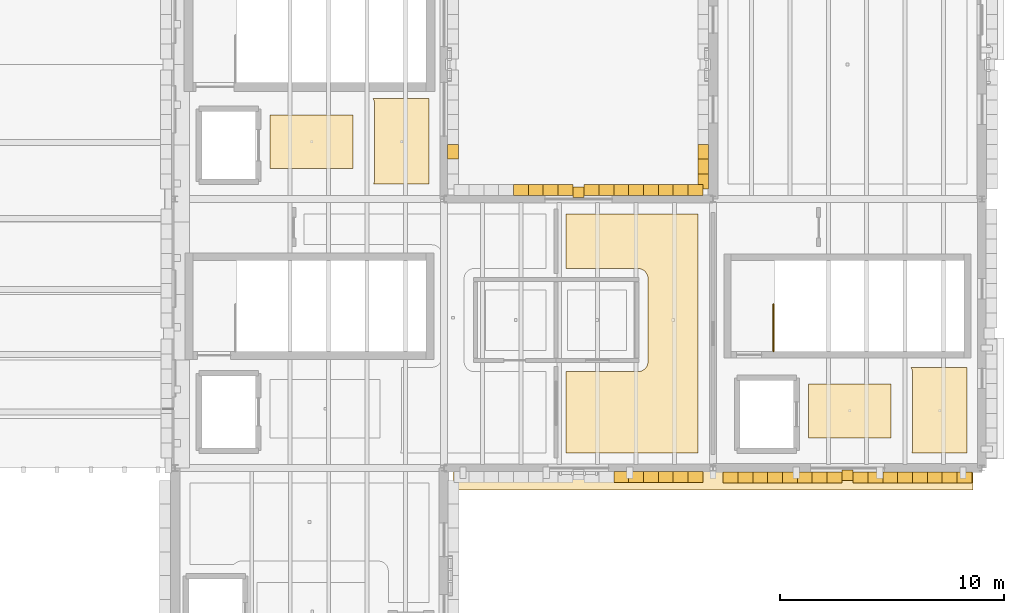
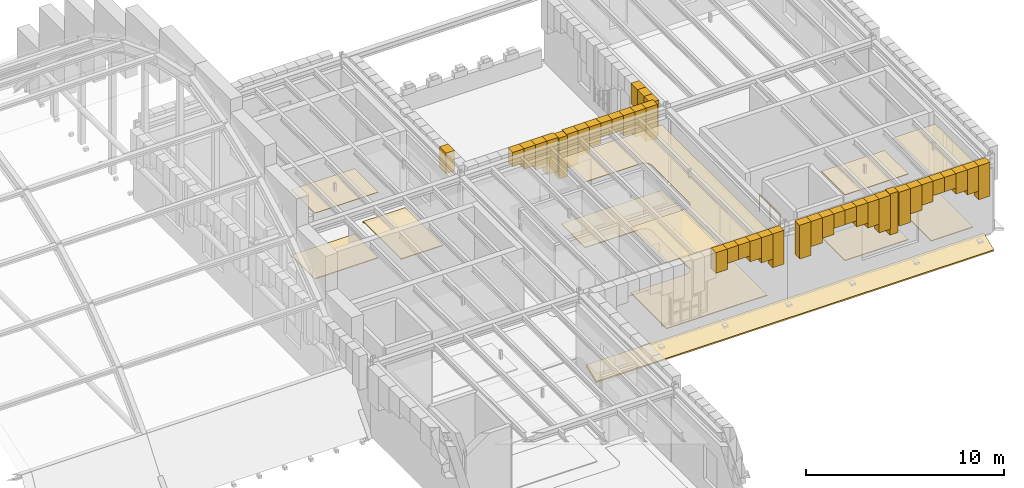
# One storey, part 32 of 35: 50 coverings, 1 railing.
"""IFC4 building model written with IfcOpenShell, lengths in metres."""

from ifc_helpers import new_model, si_unit, direction, frame, origin, origin_2d, place, context, subcontext, project, spatial, polyline, circle, outline, extrude, material, layer, layer_set, type_object, element, save


model = new_model("IFC4")

# Units and contexts
model_context = context("Model", 3, precision=1e-05, world=origin(), true_north=direction((0.0, 1.0)))
body_context = subcontext(model_context, "Body", "Model", "MODEL_VIEW")
ifc_project = project(units=[si_unit("LENGTHUNIT", "METRE"), si_unit("AREAUNIT", "SQUARE_METRE"), si_unit("VOLUMEUNIT", "CUBIC_METRE"), si_unit("PLANEANGLEUNIT", "RADIAN"), si_unit("MASSUNIT", "GRAM", prefix="KILO")], contexts=[model_context])

# Site, building, storey
site_placement = place(None, origin())
site = spatial("IfcSite", under=ifc_project, at=site_placement, CompositionType="ELEMENT")
building_placement = place(site_placement, origin())
building = spatial("IfcBuilding", under=site, at=building_placement, Name="Zlatogorsky Bluff Art Gallery", CompositionType="ELEMENT")
storey_placement = place(building_placement, frame((0.0, 0.0, 23.39990234375)))
storey = spatial("IfcBuildingStorey", under=building, at=storey_placement, Name="L04", CompositionType="ELEMENT", Elevation=23.39990234375)

# Coverings
ifc_material_1 = material(Name="Perforated Gypsum Acoustic Board", Category="gypsum")
ifc_layer_1 = layer(ifc_material_1, 0.0400390625)
ifc_layer_set_1 = layer_set([ifc_layer_1], Name="Acoustic Gallery Ceiling CLG-01")
covering_type_1 = type_object("IfcCoveringType", Name="Acoustic Gallery Ceiling CLG-01", PredefinedType="CEILING", material=ifc_layer_set_1)
covering_1_placement = place(storey_placement, frame((0.0, 0.0, 4.050048828125)))
element("IfcCovering", 1, at=covering_1_placement, inside=storey, type_object=covering_type_1, Name="Lift Lobby PL-1 acoustic ceiling", PredefinedType="CEILING", context=body_context, shape_type="SweptSolid", body=[
    extrude(outline(polyline([(127.949951171875, 99.75), (127.949951171875, 97.35009765625), (124.25, 97.35009765625), (124.25, 99.75), (127.949951171875, 99.75)])), origin(), (0.0, 0.0, 1.0), 0.0400390625),
])
covering_2_placement = place(storey_placement, frame((0.0, 0.0, 4.050048828125)))
element("IfcCovering", 2, at=covering_2_placement, inside=storey, type_object=covering_type_1, Name="Lift Lobby PL-2 acoustic ceiling", PredefinedType="CEILING", context=body_context, shape_type="SweptSolid", body=[
    extrude(outline(polyline([(151.949951171875, 87.75), (151.949951171875, 85.35009765625), (148.25, 85.35009765625), (148.25, 87.75), (151.949951171875, 87.75)])), origin(), (0.0, 0.0, 1.0), 0.0400390625),
])
covering_3_placement = place(storey_placement, frame((0.0, 0.0, 4.050048828125)))
element("IfcCovering", 3, at=covering_3_placement, inside=storey, type_object=covering_type_1, Name="Imaging Conservation Laboratory acoustic ceiling", PredefinedType="CEILING", context=body_context, shape_type="SweptSolid", body=[
    extrude(outline(polyline([(140.64990234375, 88.300048828125), (140.694091796875, 88.30224609375), (140.73779296875, 88.30859375), (140.780517578125, 88.3193359375), (140.822265625, 88.334228515625), (140.862060546875, 88.35302734375), (140.89990234375, 88.375732421875), (140.935546875, 88.402099609375), (140.96826171875, 88.431884765625), (140.997802734375, 88.464599609375), (141.024169921875, 88.5), (141.046875, 88.537841796875), (141.065673828125, 88.577880859375), (141.08056640625, 88.619384765625), (141.09130859375, 88.662109375), (141.097900390625, 88.705810546875), (141.10009765625, 88.75), (141.10009765625, 92.449951171875), (141.097900390625, 92.494140625), (141.09130859375, 92.537841796875), (141.08056640625, 92.58056640625), (141.065673828125, 92.622314453125), (141.046875, 92.662109375), (141.024169921875, 92.699951171875), (140.997802734375, 92.735595703125), (140.96826171875, 92.768310546875), (140.935546875, 92.7978515625), (140.89990234375, 92.82421875), (140.862060546875, 92.846923828125), (140.822265625, 92.86572265625), (140.780517578125, 92.880615234375), (140.73779296875, 92.891357421875), (140.694091796875, 92.897705078125), (140.64990234375, 92.89990234375), (137.449951171875, 92.89990234375), (137.449951171875, 95.330078125), (143.330078125, 95.330078125), (143.330078125, 84.669921875), (137.449951171875, 84.669921875), (137.449951171875, 88.300048828125), (140.64990234375, 88.300048828125)])), origin(), (0.0, 0.0, 1.0), 0.0400390625),
])
covering_4_placement = place(storey_placement, frame((0.0, 0.0, 4.050048828125)))
element("IfcCovering", 4, at=covering_4_placement, inside=storey, type_object=covering_type_1, Name="Curatorial Symposium Hall acoustic ceiling", PredefinedType="CEILING", context=body_context, shape_type="SweptSolid", body=[
    extrude(outline(polyline([(155.330078125, 88.489990234375), (155.330078125, 84.669921875), (152.862060546875, 84.669921875), (152.86572265625, 84.677734375), (152.880615234375, 84.719482421875), (152.891357421875, 84.76220703125), (152.897705078125, 84.805908203125), (152.89990234375, 84.85009765625), (152.89990234375, 88.25), (152.897705078125, 88.294189453125), (152.891357421875, 88.337890625), (152.880615234375, 88.380615234375), (152.86572265625, 88.422119140625), (152.846923828125, 88.462158203125), (152.830078125, 88.489990234375), (155.330078125, 88.489990234375)])), origin(), (0.0, 0.0, 1.0), 0.0400390625),
])
ifc_material_2 = material(Name="Honed Red Agra-Tone Quartzitic Sandstone", Category="masonry")
ifc_layer_2 = layer(ifc_material_2, 0.1201171875)
ifc_layer_set_2 = layer_set([ifc_layer_2], Name="Carved Sandstone Cladding CLD-02")
covering_type_2 = type_object("IfcCoveringType", Name="Carved Sandstone Cladding CLD-02", PredefinedType="CLADDING", material=ifc_layer_set_2)
covering_5_placement = place(storey_placement, frame((0.0, 0.0, 3.496826171875)))
element("IfcCovering", 5, at=covering_5_placement, inside=storey, type_object=covering_type_2, Name="Pointed Mughal arch voussoir spandrel WARCH-L04-E-10-09-A.3", PredefinedType="CLADDING", context=body_context, shape_type="SweptSolid", body=[
    extrude(outline(polyline([(132.14990234375, 97.77490234375), (132.14990234375, 98.4375), (132.639892578125, 98.4375), (132.639892578125, 97.77490234375), (132.14990234375, 97.77490234375)])), origin(), (0.0, 0.0, 1.0), 1.26318359375),
])
covering_6_placement = place(storey_placement, frame((0.0, 0.0, 3.496826171875)))
element("IfcCovering", 6, at=covering_6_placement, inside=storey, type_object=covering_type_2, Name="Pointed Mughal arch voussoir spandrel WARCH-L04-S-11-08-B.3", PredefinedType="CLADDING", context=body_context, shape_type="SweptSolid", body=[
    extrude(outline(polyline([(139.574951171875, 83.360107421875), (140.237548828125, 83.360107421875), (140.237548828125, 83.85009765625), (139.574951171875, 83.85009765625), (139.574951171875, 83.360107421875)])), origin(), (0.0, 0.0, 1.0), 1.26318359375),
])
covering_7_placement = place(storey_placement, frame((0.0, 0.0, 3.865478515625)))
element("IfcCovering", 7, at=covering_7_placement, inside=storey, type_object=covering_type_2, Name="Pointed Mughal arch voussoir spandrel WARCH-L04-S-11-08-B.4", PredefinedType="CLADDING", context=body_context, shape_type="SweptSolid", body=[
    extrude(outline(polyline([(140.237548828125, 83.360107421875), (140.89990234375, 83.360107421875), (140.89990234375, 83.85009765625), (140.237548828125, 83.85009765625), (140.237548828125, 83.360107421875)])), origin(), (0.0, 0.0, 1.0), 0.89453125),
])
covering_8_placement = place(storey_placement, frame((0.0, 0.0, 3.865478515625)))
element("IfcCovering", 8, at=covering_8_placement, inside=storey, type_object=covering_type_2, Name="Pointed Mughal arch voussoir spandrel WARCH-L04-S-11-08-B.5", PredefinedType="CLADDING", context=body_context, shape_type="SweptSolid", body=[
    extrude(outline(polyline([(140.89990234375, 83.360107421875), (141.5625, 83.360107421875), (141.5625, 83.85009765625), (140.89990234375, 83.85009765625), (140.89990234375, 83.360107421875)])), origin(), (0.0, 0.0, 1.0), 0.89453125),
])
covering_9_placement = place(storey_placement, frame((0.0, 0.0, 3.496826171875)))
element("IfcCovering", 9, at=covering_9_placement, inside=storey, type_object=covering_type_2, Name="Pointed Mughal arch voussoir spandrel WARCH-L04-S-11-08-B.6", PredefinedType="CLADDING", context=body_context, shape_type="SweptSolid", body=[
    extrude(outline(polyline([(141.5625, 83.360107421875), (142.22509765625, 83.360107421875), (142.22509765625, 83.85009765625), (141.5625, 83.85009765625), (141.5625, 83.360107421875)])), origin(), (0.0, 0.0, 1.0), 1.26318359375),
])
covering_10_placement = place(storey_placement, frame((0.0, 0.0, 3.203857421875)))
element("IfcCovering", 10, at=covering_10_placement, inside=storey, type_object=covering_type_2, Name="Pointed Mughal arch voussoir spandrel WARCH-L04-S-11-08-B.7", PredefinedType="CLADDING", context=body_context, shape_type="SweptSolid", body=[
    extrude(outline(polyline([(142.22509765625, 83.360107421875), (142.887451171875, 83.360107421875), (142.887451171875, 83.85009765625), (142.22509765625, 83.85009765625), (142.22509765625, 83.360107421875)])), origin(), (0.0, 0.0, 1.0), 1.55615234375),
])
covering_11_placement = place(storey_placement, frame((0.0, 0.0, 2.672607421875)))
element("IfcCovering", 11, at=covering_11_placement, inside=storey, type_object=covering_type_2, Name="Pointed Mughal arch voussoir spandrel WARCH-L04-S-11-08-B.8", PredefinedType="CLADDING", context=body_context, shape_type="SweptSolid", body=[
    extrude(outline(polyline([(142.887451171875, 83.360107421875), (143.550048828125, 83.360107421875), (143.550048828125, 83.85009765625), (142.887451171875, 83.85009765625), (142.887451171875, 83.360107421875)])), origin(), (0.0, 0.0, 1.0), 2.08740234375),
])
covering_12_placement = place(storey_placement, frame((0.0, 0.0, 2.22998046875)))
element("IfcCovering", 12, at=covering_12_placement, inside=storey, type_object=covering_type_2, Name="Mughal blind-arch sandstone pilaster L04.N.11.8", PredefinedType="CLADDING", context=body_context, shape_type="SweptSolid", body=[
    extrude(outline(polyline([(137.760009765625, 96.06005859375), (138.239990234375, 96.06005859375), (138.239990234375, 96.5400390625), (137.760009765625, 96.5400390625), (137.760009765625, 96.06005859375)])), origin(), (0.0, 0.0, 1.0), 2.530029296875),
])
covering_13_placement = place(storey_placement, frame((0.0, 0.0, 3.865478515625)))
element("IfcCovering", 13, at=covering_13_placement, inside=storey, type_object=covering_type_2, Name="Pointed Mughal arch voussoir spandrel WARCH-L04-N-11-08-A.5", PredefinedType="CLADDING", context=body_context, shape_type="SweptSolid", body=[
    extrude(outline(polyline([(135.10009765625, 96.14990234375), (135.762451171875, 96.14990234375), (135.762451171875, 96.639892578125), (135.10009765625, 96.639892578125), (135.10009765625, 96.14990234375)])), origin(), (0.0, 0.0, 1.0), 0.89453125),
])
covering_14_placement = place(storey_placement, frame((0.0, 0.0, 3.496826171875)))
element("IfcCovering", 14, at=covering_14_placement, inside=storey, type_object=covering_type_2, Name="Pointed Mughal arch voussoir spandrel WARCH-L04-N-11-08-A.6", PredefinedType="CLADDING", context=body_context, shape_type="SweptSolid", body=[
    extrude(outline(polyline([(135.762451171875, 96.14990234375), (136.425048828125, 96.14990234375), (136.425048828125, 96.639892578125), (135.762451171875, 96.639892578125), (135.762451171875, 96.14990234375)])), origin(), (0.0, 0.0, 1.0), 1.26318359375),
])
covering_15_placement = place(storey_placement, frame((0.0, 0.0, 3.203857421875)))
element("IfcCovering", 15, at=covering_15_placement, inside=storey, type_object=covering_type_2, Name="Pointed Mughal arch voussoir spandrel WARCH-L04-N-11-08-A.7", PredefinedType="CLADDING", context=body_context, shape_type="SweptSolid", body=[
    extrude(outline(polyline([(136.425048828125, 96.14990234375), (137.08740234375, 96.14990234375), (137.08740234375, 96.639892578125), (136.425048828125, 96.639892578125), (136.425048828125, 96.14990234375)])), origin(), (0.0, 0.0, 1.0), 1.55615234375),
])
covering_16_placement = place(storey_placement, frame((0.0, 0.0, 2.672607421875)))
element("IfcCovering", 16, at=covering_16_placement, inside=storey, type_object=covering_type_2, Name="Pointed Mughal arch voussoir spandrel WARCH-L04-N-11-08-A.8", PredefinedType="CLADDING", context=body_context, shape_type="SweptSolid", body=[
    extrude(outline(polyline([(137.08740234375, 96.14990234375), (137.75, 96.14990234375), (137.75, 96.639892578125), (137.08740234375, 96.639892578125), (137.08740234375, 96.14990234375)])), origin(), (0.0, 0.0, 1.0), 2.08740234375),
])
covering_17_placement = place(storey_placement, frame((0.0, 0.0, 2.672607421875)))
element("IfcCovering", 17, at=covering_17_placement, inside=storey, type_object=covering_type_2, Name="Pointed Mughal arch voussoir spandrel WARCH-L04-N-11-08-B.1", PredefinedType="CLADDING", context=body_context, shape_type="SweptSolid", body=[
    extrude(outline(polyline([(138.25, 96.14990234375), (138.91259765625, 96.14990234375), (138.91259765625, 96.639892578125), (138.25, 96.639892578125), (138.25, 96.14990234375)])), origin(), (0.0, 0.0, 1.0), 2.08740234375),
])
covering_18_placement = place(storey_placement, frame((0.0, 0.0, 3.203857421875)))
element("IfcCovering", 18, at=covering_18_placement, inside=storey, type_object=covering_type_2, Name="Pointed Mughal arch voussoir spandrel WARCH-L04-N-11-08-B.2", PredefinedType="CLADDING", context=body_context, shape_type="SweptSolid", body=[
    extrude(outline(polyline([(138.91259765625, 96.14990234375), (139.574951171875, 96.14990234375), (139.574951171875, 96.639892578125), (138.91259765625, 96.639892578125), (138.91259765625, 96.14990234375)])), origin(), (0.0, 0.0, 1.0), 1.55615234375),
])
covering_19_placement = place(storey_placement, frame((0.0, 0.0, 3.496826171875)))
element("IfcCovering", 19, at=covering_19_placement, inside=storey, type_object=covering_type_2, Name="Pointed Mughal arch voussoir spandrel WARCH-L04-N-11-08-B.3", PredefinedType="CLADDING", context=body_context, shape_type="SweptSolid", body=[
    extrude(outline(polyline([(139.574951171875, 96.14990234375), (140.237548828125, 96.14990234375), (140.237548828125, 96.639892578125), (139.574951171875, 96.639892578125), (139.574951171875, 96.14990234375)])), origin(), (0.0, 0.0, 1.0), 1.26318359375),
])
covering_20_placement = place(storey_placement, frame((0.0, 0.0, 3.865478515625)))
element("IfcCovering", 20, at=covering_20_placement, inside=storey, type_object=covering_type_2, Name="Pointed Mughal arch voussoir spandrel WARCH-L04-N-11-08-B.4", PredefinedType="CLADDING", context=body_context, shape_type="SweptSolid", body=[
    extrude(outline(polyline([(140.237548828125, 96.14990234375), (140.89990234375, 96.14990234375), (140.89990234375, 96.639892578125), (140.237548828125, 96.639892578125), (140.237548828125, 96.14990234375)])), origin(), (0.0, 0.0, 1.0), 0.89453125),
])
covering_21_placement = place(storey_placement, frame((0.0, 0.0, 3.865478515625)))
element("IfcCovering", 21, at=covering_21_placement, inside=storey, type_object=covering_type_2, Name="Pointed Mughal arch voussoir spandrel WARCH-L04-N-11-08-B.5", PredefinedType="CLADDING", context=body_context, shape_type="SweptSolid", body=[
    extrude(outline(polyline([(140.89990234375, 96.14990234375), (141.5625, 96.14990234375), (141.5625, 96.639892578125), (140.89990234375, 96.639892578125), (140.89990234375, 96.14990234375)])), origin(), (0.0, 0.0, 1.0), 0.89453125),
])
covering_22_placement = place(storey_placement, frame((0.0, 0.0, 3.496826171875)))
element("IfcCovering", 22, at=covering_22_placement, inside=storey, type_object=covering_type_2, Name="Pointed Mughal arch voussoir spandrel WARCH-L04-N-11-08-B.6", PredefinedType="CLADDING", context=body_context, shape_type="SweptSolid", body=[
    extrude(outline(polyline([(141.5625, 96.14990234375), (142.22509765625, 96.14990234375), (142.22509765625, 96.639892578125), (141.5625, 96.639892578125), (141.5625, 96.14990234375)])), origin(), (0.0, 0.0, 1.0), 1.26318359375),
])
covering_23_placement = place(storey_placement, frame((0.0, 0.0, 3.203857421875)))
element("IfcCovering", 23, at=covering_23_placement, inside=storey, type_object=covering_type_2, Name="Pointed Mughal arch voussoir spandrel WARCH-L04-N-11-08-B.7", PredefinedType="CLADDING", context=body_context, shape_type="SweptSolid", body=[
    extrude(outline(polyline([(142.22509765625, 96.14990234375), (142.887451171875, 96.14990234375), (142.887451171875, 96.639892578125), (142.22509765625, 96.639892578125), (142.22509765625, 96.14990234375)])), origin(), (0.0, 0.0, 1.0), 1.55615234375),
])
covering_24_placement = place(storey_placement, frame((0.0, 0.0, 2.672607421875)))
element("IfcCovering", 24, at=covering_24_placement, inside=storey, type_object=covering_type_2, Name="Pointed Mughal arch voussoir spandrel WARCH-L04-N-11-08-B.8", PredefinedType="CLADDING", context=body_context, shape_type="SweptSolid", body=[
    extrude(outline(polyline([(142.887451171875, 96.14990234375), (143.550048828125, 96.14990234375), (143.550048828125, 96.639892578125), (142.887451171875, 96.639892578125), (142.887451171875, 96.14990234375)])), origin(), (0.0, 0.0, 1.0), 2.08740234375),
])
covering_25_placement = place(storey_placement, frame((0.0, 0.0, 2.22998046875)))
element("IfcCovering", 25, at=covering_25_placement, inside=storey, type_object=covering_type_2, Name="Mughal blind-arch sandstone pilaster L04.S.12.8", PredefinedType="CLADDING", context=body_context, shape_type="SweptSolid", body=[
    extrude(outline(polyline([(149.760009765625, 83.43994140625), (150.239990234375, 83.43994140625), (150.239990234375, 83.919921875), (149.760009765625, 83.919921875), (149.760009765625, 83.43994140625)])), origin(), (0.0, 0.0, 1.0), 2.530029296875),
])
covering_26_placement = place(storey_placement, frame((0.0, 0.0, 2.672607421875)))
element("IfcCovering", 26, at=covering_26_placement, inside=storey, type_object=covering_type_2, Name="Pointed Mughal arch voussoir spandrel WARCH-L04-S-12-08-A.1", PredefinedType="CLADDING", context=body_context, shape_type="SweptSolid", body=[
    extrude(outline(polyline([(144.449951171875, 83.340087890625), (145.112548828125, 83.340087890625), (145.112548828125, 83.830078125), (144.449951171875, 83.830078125), (144.449951171875, 83.340087890625)])), origin(), (0.0, 0.0, 1.0), 2.08740234375),
])
covering_27_placement = place(storey_placement, frame((0.0, 0.0, 3.203857421875)))
element("IfcCovering", 27, at=covering_27_placement, inside=storey, type_object=covering_type_2, Name="Pointed Mughal arch voussoir spandrel WARCH-L04-S-12-08-A.2", PredefinedType="CLADDING", context=body_context, shape_type="SweptSolid", body=[
    extrude(outline(polyline([(145.112548828125, 83.340087890625), (145.77490234375, 83.340087890625), (145.77490234375, 83.830078125), (145.112548828125, 83.830078125), (145.112548828125, 83.340087890625)])), origin(), (0.0, 0.0, 1.0), 1.55615234375),
])
covering_28_placement = place(storey_placement, frame((0.0, 0.0, 3.496826171875)))
element("IfcCovering", 28, at=covering_28_placement, inside=storey, type_object=covering_type_2, Name="Pointed Mughal arch voussoir spandrel WARCH-L04-S-12-08-A.3", PredefinedType="CLADDING", context=body_context, shape_type="SweptSolid", body=[
    extrude(outline(polyline([(145.77490234375, 83.340087890625), (146.4375, 83.340087890625), (146.4375, 83.830078125), (145.77490234375, 83.830078125), (145.77490234375, 83.340087890625)])), origin(), (0.0, 0.0, 1.0), 1.26318359375),
])
covering_29_placement = place(storey_placement, frame((0.0, 0.0, 3.865478515625)))
element("IfcCovering", 29, at=covering_29_placement, inside=storey, type_object=covering_type_2, Name="Pointed Mughal arch voussoir spandrel WARCH-L04-S-12-08-A.4", PredefinedType="CLADDING", context=body_context, shape_type="SweptSolid", body=[
    extrude(outline(polyline([(146.4375, 83.340087890625), (147.10009765625, 83.340087890625), (147.10009765625, 83.830078125), (146.4375, 83.830078125), (146.4375, 83.340087890625)])), origin(), (0.0, 0.0, 1.0), 0.89453125),
])
covering_30_placement = place(storey_placement, frame((0.0, 0.0, 3.865478515625)))
element("IfcCovering", 30, at=covering_30_placement, inside=storey, type_object=covering_type_2, Name="Pointed Mughal arch voussoir spandrel WARCH-L04-S-12-08-A.5", PredefinedType="CLADDING", context=body_context, shape_type="SweptSolid", body=[
    extrude(outline(polyline([(147.10009765625, 83.340087890625), (147.762451171875, 83.340087890625), (147.762451171875, 83.830078125), (147.10009765625, 83.830078125), (147.10009765625, 83.340087890625)])), origin(), (0.0, 0.0, 1.0), 0.89453125),
])
covering_31_placement = place(storey_placement, frame((0.0, 0.0, 3.496826171875)))
element("IfcCovering", 31, at=covering_31_placement, inside=storey, type_object=covering_type_2, Name="Pointed Mughal arch voussoir spandrel WARCH-L04-S-12-08-A.6", PredefinedType="CLADDING", context=body_context, shape_type="SweptSolid", body=[
    extrude(outline(polyline([(147.762451171875, 83.340087890625), (148.425048828125, 83.340087890625), (148.425048828125, 83.830078125), (147.762451171875, 83.830078125), (147.762451171875, 83.340087890625)])), origin(), (0.0, 0.0, 1.0), 1.26318359375),
])
covering_32_placement = place(storey_placement, frame((0.0, 0.0, 3.203857421875)))
element("IfcCovering", 32, at=covering_32_placement, inside=storey, type_object=covering_type_2, Name="Pointed Mughal arch voussoir spandrel WARCH-L04-S-12-08-A.7", PredefinedType="CLADDING", context=body_context, shape_type="SweptSolid", body=[
    extrude(outline(polyline([(148.425048828125, 83.340087890625), (149.08740234375, 83.340087890625), (149.08740234375, 83.830078125), (148.425048828125, 83.830078125), (148.425048828125, 83.340087890625)])), origin(), (0.0, 0.0, 1.0), 1.55615234375),
])
covering_33_placement = place(storey_placement, frame((0.0, 0.0, 2.672607421875)))
element("IfcCovering", 33, at=covering_33_placement, inside=storey, type_object=covering_type_2, Name="Pointed Mughal arch voussoir spandrel WARCH-L04-S-12-08-A.8", PredefinedType="CLADDING", context=body_context, shape_type="SweptSolid", body=[
    extrude(outline(polyline([(149.08740234375, 83.340087890625), (149.75, 83.340087890625), (149.75, 83.830078125), (149.08740234375, 83.830078125), (149.08740234375, 83.340087890625)])), origin(), (0.0, 0.0, 1.0), 2.08740234375),
])
covering_34_placement = place(storey_placement, frame((0.0, 0.0, 2.672607421875)))
element("IfcCovering", 34, at=covering_34_placement, inside=storey, type_object=covering_type_2, Name="Pointed Mughal arch voussoir spandrel WARCH-L04-S-12-08-B.1", PredefinedType="CLADDING", context=body_context, shape_type="SweptSolid", body=[
    extrude(outline(polyline([(150.25, 83.340087890625), (150.91259765625, 83.340087890625), (150.91259765625, 83.830078125), (150.25, 83.830078125), (150.25, 83.340087890625)])), origin(), (0.0, 0.0, 1.0), 2.08740234375),
])
covering_35_placement = place(storey_placement, frame((0.0, 0.0, 3.203857421875)))
element("IfcCovering", 35, at=covering_35_placement, inside=storey, type_object=covering_type_2, Name="Pointed Mughal arch voussoir spandrel WARCH-L04-S-12-08-B.2", PredefinedType="CLADDING", context=body_context, shape_type="SweptSolid", body=[
    extrude(outline(polyline([(150.91259765625, 83.340087890625), (151.574951171875, 83.340087890625), (151.574951171875, 83.830078125), (150.91259765625, 83.830078125), (150.91259765625, 83.340087890625)])), origin(), (0.0, 0.0, 1.0), 1.55615234375),
])
covering_36_placement = place(storey_placement, frame((0.0, 0.0, 3.496826171875)))
element("IfcCovering", 36, at=covering_36_placement, inside=storey, type_object=covering_type_2, Name="Pointed Mughal arch voussoir spandrel WARCH-L04-S-12-08-B.3", PredefinedType="CLADDING", context=body_context, shape_type="SweptSolid", body=[
    extrude(outline(polyline([(151.574951171875, 83.340087890625), (152.237548828125, 83.340087890625), (152.237548828125, 83.830078125), (151.574951171875, 83.830078125), (151.574951171875, 83.340087890625)])), origin(), (0.0, 0.0, 1.0), 1.26318359375),
])
covering_37_placement = place(storey_placement, frame((0.0, 0.0, 3.865478515625)))
element("IfcCovering", 37, at=covering_37_placement, inside=storey, type_object=covering_type_2, Name="Pointed Mughal arch voussoir spandrel WARCH-L04-S-12-08-B.4", PredefinedType="CLADDING", context=body_context, shape_type="SweptSolid", body=[
    extrude(outline(polyline([(152.237548828125, 83.340087890625), (152.89990234375, 83.340087890625), (152.89990234375, 83.830078125), (152.237548828125, 83.830078125), (152.237548828125, 83.340087890625)])), origin(), (0.0, 0.0, 1.0), 0.89453125),
])
covering_38_placement = place(storey_placement, frame((0.0, 0.0, 3.865478515625)))
element("IfcCovering", 38, at=covering_38_placement, inside=storey, type_object=covering_type_2, Name="Pointed Mughal arch voussoir spandrel WARCH-L04-S-12-08-B.5", PredefinedType="CLADDING", context=body_context, shape_type="SweptSolid", body=[
    extrude(outline(polyline([(152.89990234375, 83.340087890625), (153.5625, 83.340087890625), (153.5625, 83.830078125), (152.89990234375, 83.830078125), (152.89990234375, 83.340087890625)])), origin(), (0.0, 0.0, 1.0), 0.89453125),
])
covering_39_placement = place(storey_placement, frame((0.0, 0.0, 3.496826171875)))
element("IfcCovering", 39, at=covering_39_placement, inside=storey, type_object=covering_type_2, Name="Pointed Mughal arch voussoir spandrel WARCH-L04-S-12-08-B.6", PredefinedType="CLADDING", context=body_context, shape_type="SweptSolid", body=[
    extrude(outline(polyline([(153.5625, 83.340087890625), (154.22509765625, 83.340087890625), (154.22509765625, 83.830078125), (153.5625, 83.830078125), (153.5625, 83.340087890625)])), origin(), (0.0, 0.0, 1.0), 1.26318359375),
])
covering_40_placement = place(storey_placement, frame((0.0, 0.0, 3.203857421875)))
element("IfcCovering", 40, at=covering_40_placement, inside=storey, type_object=covering_type_2, Name="Pointed Mughal arch voussoir spandrel WARCH-L04-S-12-08-B.7", PredefinedType="CLADDING", context=body_context, shape_type="SweptSolid", body=[
    extrude(outline(polyline([(154.22509765625, 83.340087890625), (154.887451171875, 83.340087890625), (154.887451171875, 83.830078125), (154.22509765625, 83.830078125), (154.22509765625, 83.340087890625)])), origin(), (0.0, 0.0, 1.0), 1.55615234375),
])
covering_41_placement = place(storey_placement, frame((0.0, 0.0, 2.672607421875)))
element("IfcCovering", 41, at=covering_41_placement, inside=storey, type_object=covering_type_2, Name="Pointed Mughal arch voussoir spandrel WARCH-L04-S-12-08-B.8", PredefinedType="CLADDING", context=body_context, shape_type="SweptSolid", body=[
    extrude(outline(polyline([(154.887451171875, 83.340087890625), (155.550048828125, 83.340087890625), (155.550048828125, 83.830078125), (154.887451171875, 83.830078125), (154.887451171875, 83.340087890625)])), origin(), (0.0, 0.0, 1.0), 2.08740234375),
])
covering_42_placement = place(storey_placement, frame((0.0, 0.0, 2.672607421875)))
element("IfcCovering", 42, at=covering_42_placement, inside=storey, type_object=covering_type_2, Name="Pointed Mughal arch voussoir spandrel WARCH-L04-W-12-09-A.1", PredefinedType="CLADDING", context=body_context, shape_type="SweptSolid", body=[
    extrude(outline(polyline([(143.320068359375, 96.449951171875), (143.320068359375, 97.112548828125), (143.81005859375, 97.112548828125), (143.81005859375, 96.449951171875), (143.320068359375, 96.449951171875)])), origin(), (0.0, 0.0, 1.0), 2.08740234375),
])
covering_43_placement = place(storey_placement, frame((0.0, 0.0, 3.203857421875)))
element("IfcCovering", 43, at=covering_43_placement, inside=storey, type_object=covering_type_2, Name="Pointed Mughal arch voussoir spandrel WARCH-L04-W-12-09-A.2", PredefinedType="CLADDING", context=body_context, shape_type="SweptSolid", body=[
    extrude(outline(polyline([(143.320068359375, 97.112548828125), (143.320068359375, 97.77490234375), (143.81005859375, 97.77490234375), (143.81005859375, 97.112548828125), (143.320068359375, 97.112548828125)])), origin(), (0.0, 0.0, 1.0), 1.55615234375),
])
covering_44_placement = place(storey_placement, frame((0.0, 0.0, 3.496826171875)))
element("IfcCovering", 44, at=covering_44_placement, inside=storey, type_object=covering_type_2, Name="Pointed Mughal arch voussoir spandrel WARCH-L04-W-12-09-A.3", PredefinedType="CLADDING", context=body_context, shape_type="SweptSolid", body=[
    extrude(outline(polyline([(143.320068359375, 97.77490234375), (143.320068359375, 98.4375), (143.81005859375, 98.4375), (143.81005859375, 97.77490234375), (143.320068359375, 97.77490234375)])), origin(), (0.0, 0.0, 1.0), 1.26318359375),
])
covering_45_placement = place(storey_placement, frame((155.60009765625, 84.0400390625, -0.039794921875), z_axis=(0.0, -0.380872241927, 0.924627673893), x_axis=(-1.0, 0.0, 0.0)))
element("IfcCovering", 45, at=covering_45_placement, inside=storey, type_object=covering_type_2, Name="Projecting sloped Mughal chhajja stone eave CHJ-NE-S-L04", PredefinedType="CLADDING", context=body_context, shape_type="SweptSolid", body=[
    extrude(outline(polyline([(0.0, 0.0), (23.2001953125, 0.0), (23.2001953125, 1.1031678588581422), (0.0, 1.1031678588581422), (0.0, 0.0)])), origin(), (0.0, 0.0, -1.0), 0.139892578125),
])

# Railing
ifc_material_3 = material(Name="Architectural Bronze and Laminated Glass", Category="glass")
railing_type = type_object("IfcRailingType", Name="Gallery Guard Rail 1100mm", PredefinedType="GUARDRAIL", material=ifc_material_3)
railing_placement = place(storey_placement, frame((146.699951171875, 89.199951171875, 0.0)))
element("IfcRailing", 46, at=railing_placement, inside=storey, type_object=railing_type, Name="L04 ST-04 top well guard 1", PredefinedType="GUARDRAIL", context=body_context, shape_type="SweptSolid", body=[
    extrude(circle(Radius=0.02392578125, at=origin_2d()), frame((0.0, 0.0, 1.076171875), z_axis=(0.0, 1.0, 0.0), x_axis=(-1.0, 0.0, 0.0)), (0.0, 0.0, 1.0), 2.10009765625),
    extrude(circle(Radius=0.02099609375, at=origin_2d()), origin(), (0.0, 0.0, 1.0), 1.052001953125),
    extrude(circle(Radius=0.02099609375, at=origin_2d()), frame((0.0, 1.050048828125, 0.0)), (0.0, 0.0, 1.0), 1.052001953125),
    extrude(circle(Radius=0.02099609375, at=origin_2d()), frame((0.0, 2.10009765625, 0.0)), (0.0, 0.0, 1.0), 1.052001953125),
])

# Coverings
ifc_material_4 = material(Name="Polished Ural Marble Terrazzo", Category="masonry")
ifc_layer_3 = layer(ifc_material_4, 0.050048828125)
ifc_layer_set_3 = layer_set([ifc_layer_3], Name="Terrazzo Gallery Flooring FLR-01")
covering_type_3 = type_object("IfcCoveringType", Name="Terrazzo Gallery Flooring FLR-01", PredefinedType="FLOORING", material=ifc_layer_set_3)
covering_46_placement = place(storey_placement, origin())
element("IfcCovering", 47, at=covering_46_placement, inside=storey, type_object=covering_type_3, Name="Lift Lobby PL-1 terrazzo floor finish", PredefinedType="FLOORING", context=body_context, shape_type="SweptSolid", body=[
    extrude(outline(polyline([(127.949951171875, 99.75), (127.949951171875, 97.35009765625), (124.25, 97.35009765625), (124.25, 99.75), (127.949951171875, 99.75)])), origin(), (0.0, 0.0, 1.0), 0.050048828125),
])
covering_47_placement = place(storey_placement, origin())
element("IfcCovering", 48, at=covering_47_placement, inside=storey, type_object=covering_type_3, Name="Lift Lobby PL-2 terrazzo floor finish", PredefinedType="FLOORING", context=body_context, shape_type="SweptSolid", body=[
    extrude(outline(polyline([(151.949951171875, 87.75), (151.949951171875, 85.35009765625), (148.25, 85.35009765625), (148.25, 87.75), (151.949951171875, 87.75)])), origin(), (0.0, 0.0, 1.0), 0.050048828125),
])
covering_48_placement = place(storey_placement, origin())
element("IfcCovering", 49, at=covering_48_placement, inside=storey, type_object=covering_type_3, Name="Imaging Conservation Laboratory terrazzo floor finish", PredefinedType="FLOORING", context=body_context, shape_type="SweptSolid", body=[
    extrude(outline(polyline([(140.64990234375, 88.300048828125), (140.694091796875, 88.30224609375), (140.73779296875, 88.30859375), (140.780517578125, 88.3193359375), (140.822265625, 88.334228515625), (140.862060546875, 88.35302734375), (140.89990234375, 88.375732421875), (140.935546875, 88.402099609375), (140.96826171875, 88.431884765625), (140.997802734375, 88.464599609375), (141.024169921875, 88.5), (141.046875, 88.537841796875), (141.065673828125, 88.577880859375), (141.08056640625, 88.619384765625), (141.09130859375, 88.662109375), (141.097900390625, 88.705810546875), (141.10009765625, 88.75), (141.10009765625, 92.449951171875), (141.097900390625, 92.494140625), (141.09130859375, 92.537841796875), (141.08056640625, 92.58056640625), (141.065673828125, 92.622314453125), (141.046875, 92.662109375), (141.024169921875, 92.699951171875), (140.997802734375, 92.735595703125), (140.96826171875, 92.768310546875), (140.935546875, 92.7978515625), (140.89990234375, 92.82421875), (140.862060546875, 92.846923828125), (140.822265625, 92.86572265625), (140.780517578125, 92.880615234375), (140.73779296875, 92.891357421875), (140.694091796875, 92.897705078125), (140.64990234375, 92.89990234375), (137.449951171875, 92.89990234375), (137.449951171875, 95.330078125), (143.330078125, 95.330078125), (143.330078125, 84.669921875), (137.449951171875, 84.669921875), (137.449951171875, 88.300048828125), (140.64990234375, 88.300048828125)])), origin(), (0.0, 0.0, 1.0), 0.050048828125),
])
covering_49_placement = place(storey_placement, origin())
element("IfcCovering", 50, at=covering_49_placement, inside=storey, type_object=covering_type_3, Name="Curatorial Symposium Hall terrazzo floor finish", PredefinedType="FLOORING", context=body_context, shape_type="SweptSolid", body=[
    extrude(outline(polyline([(155.330078125, 88.489990234375), (155.330078125, 84.669921875), (152.862060546875, 84.669921875), (152.86572265625, 84.677734375), (152.880615234375, 84.719482421875), (152.891357421875, 84.76220703125), (152.897705078125, 84.805908203125), (152.89990234375, 84.85009765625), (152.89990234375, 88.25), (152.897705078125, 88.294189453125), (152.891357421875, 88.337890625), (152.880615234375, 88.380615234375), (152.86572265625, 88.422119140625), (152.846923828125, 88.462158203125), (152.830078125, 88.489990234375), (155.330078125, 88.489990234375)])), origin(), (0.0, 0.0, 1.0), 0.050048828125),
])
covering_50_placement = place(storey_placement, origin())
element("IfcCovering", 51, at=covering_50_placement, inside=storey, type_object=covering_type_3, Name="Art Reference Library terrazzo floor finish", PredefinedType="FLOORING", context=body_context, shape_type="SweptSolid", body=[
    extrude(outline(polyline([(131.330078125, 100.489990234375), (131.330078125, 96.669921875), (128.862060546875, 96.669921875), (128.86572265625, 96.677734375), (128.880615234375, 96.719482421875), (128.891357421875, 96.76220703125), (128.897705078125, 96.805908203125), (128.89990234375, 96.85009765625), (128.89990234375, 100.25), (128.897705078125, 100.294189453125), (128.891357421875, 100.337890625), (128.880615234375, 100.380615234375), (128.86572265625, 100.422119140625), (128.846923828125, 100.462158203125), (128.830078125, 100.489990234375), (131.330078125, 100.489990234375)])), origin(), (0.0, 0.0, 1.0), 0.050048828125),
])

save(model, "model.ifc")
